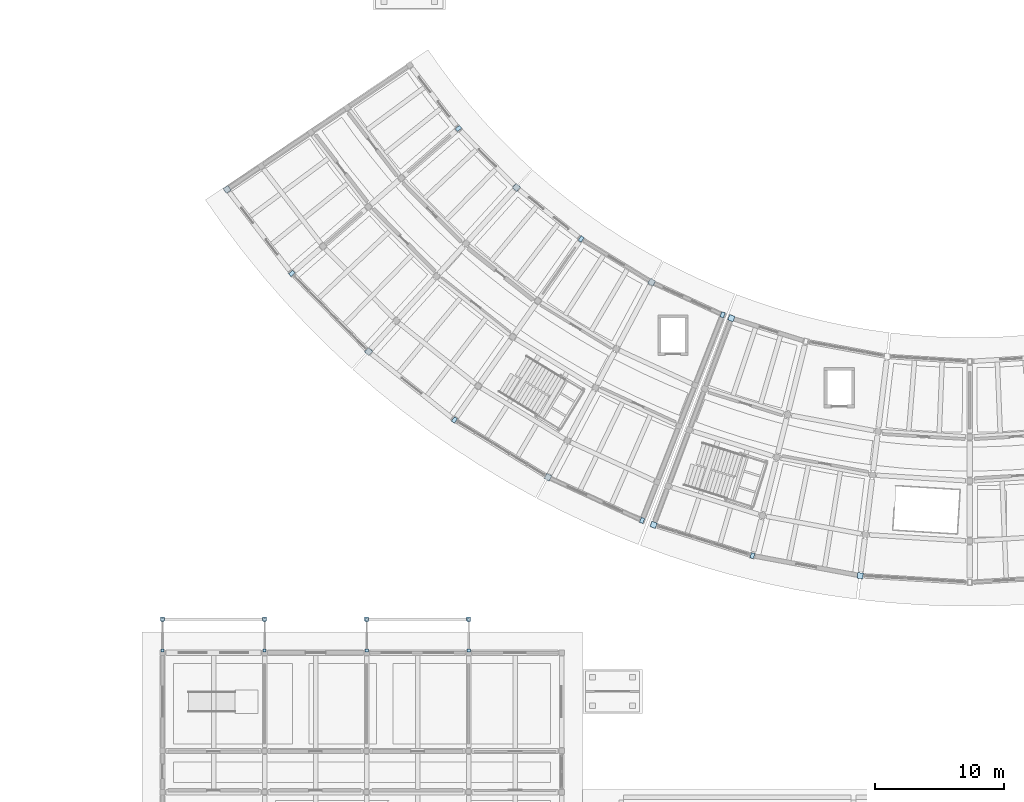
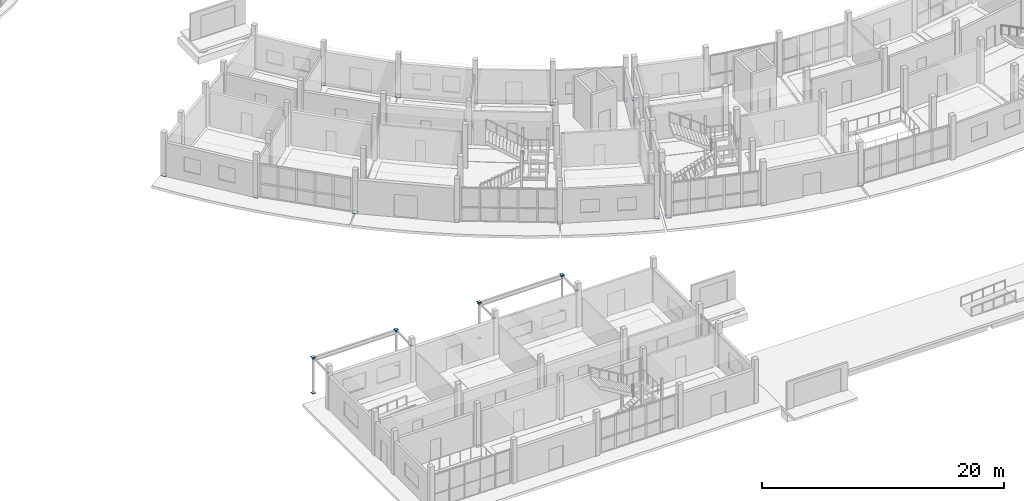
# One storey, part 59 of 92: 31 plates.
"""IFC4 building model written with IfcOpenShell, lengths in metres."""

from ifc_helpers import new_model, si_unit, direction, frame, origin, origin_2d, place, context, subcontext, project, spatial, rectangle, extrude, material, layer, layer_set, type_object, element, save


model = new_model("IFC4")

# Units and contexts
model_context = context("Model", 3, precision=1e-05, world=origin(), true_north=direction((0.0, 1.0)))
body_context = subcontext(model_context, "Body", "Model", "MODEL_VIEW")
ifc_project = project(units=[si_unit("LENGTHUNIT", "METRE"), si_unit("AREAUNIT", "SQUARE_METRE"), si_unit("VOLUMEUNIT", "CUBIC_METRE"), si_unit("PLANEANGLEUNIT", "RADIAN"), si_unit("MASSUNIT", "GRAM", prefix="KILO")], contexts=[model_context])

# Site, building, storey
site_placement = place(None, origin())
site = spatial("IfcSite", under=ifc_project, at=site_placement, CompositionType="ELEMENT")
building_placement = place(site_placement, origin())
building = spatial("IfcBuilding", under=site, at=building_placement, Name="Caldaven Crescent School", CompositionType="ELEMENT")
storey_placement = place(building_placement, origin())
storey = spatial("IfcBuildingStorey", under=building, at=storey_placement, Name="L00", CompositionType="ELEMENT", Elevation=0.0)

# Plates
ifc_material = material(Name="Steel ASTM A572 Grade 50", Category="steel")
ifc_layer_1 = layer(ifc_material, 0.01806640625)
ifc_layer_set_1 = layer_set([ifc_layer_1], Name="Steel ASTM A572 Grade 50")
plate_type_1 = type_object("IfcPlateType", Name="PLT-BAS2", PredefinedType="SHEET", material=ifc_layer_set_1)
for number, where, z_axis, x_axis, name in (
    (1, (30.500244140625, 56.8720703125, 0.0), (0.0, 0.0, 1.0), (-0.826786154745, -0.562516359159, 0.0), "PLT-SPL-V4W-00-4"),
    (2, (52.904052734375, 57.02197265625, 0.0), (0.0, 0.0, 1.0), (-0.669130606359, -0.743144825477, 0.0), "PLT-SPL-V4W-02-0"),
    (3, (41.4619140625, 44.314208984375, 0.0), (0.0, 0.0, 1.0), (-0.669130606359, -0.743144825477, 0.0), "PLT-SPL-V4W-02-4"),
    (4, (63.376220703125, 49.689453125, 0.0), (0.0, 0.0, 1.0), (-0.469471562786, -0.882947592859, 0.0), "PLT-SPL-V4W-04-0"),
    (5, (55.34814453125, 34.591064453125, 0.0), (0.0, 0.0, 1.0), (-0.469471562786, -0.882947592859, 0.0), "PLT-SPL-V4W-04-4"),
    (6, (69.541259765625, 46.905517578125, 0.0), (0.0, 0.0, 1.0), (-0.352005016254, -0.93599811353, 0.0), "PLT-SPL-V5-00-0"),
    (7, (63.523193359375, 30.8994140625, 0.0), (0.0, 0.0, 1.0), (-0.352005016254, -0.93599811353, 0.0), "PLT-SPL-V5-00-4"),
    (8, (79.52392578125, 26.968505859375, 0.0), (0.0, 0.0, 1.0), (-0.121869343405, -0.992546151641, 0.0), "PLT-SPL-V5-02-4"),
):
    element("IfcPlate", number, at=place(storey_placement, frame(where, z_axis=z_axis, x_axis=x_axis)), inside=storey, type_object=plate_type_1, Name=name, PredefinedType="SHEET", context=body_context, shape_type="SweptSolid", body=[
        extrude(rectangle(XDim=0.43994140625, YDim=0.43994140625, at=origin_2d()), origin(), (0.0, 0.0, 1.0), 0.01806640625),
    ])
ifc_layer_2 = layer(ifc_material, 0.02001953125)
ifc_layer_set_2 = layer_set([ifc_layer_2], Name="Steel ASTM A572 Grade 50")
plate_type_2 = type_object("IfcPlateType", Name="PLT-CAP20", PredefinedType="USERDEFINED", material=ifc_layer_set_2)
for number, where, z_axis, x_axis, name in (
    (9, (25.5, 21.176025390625, 3.489990234375), (0.0, 0.0, 1.0), (0.0, 1.0, 0.0), "PLT-CAP-0157-A"),
    (10, (25.5, 23.533935546875, 3.489990234375), (0.0, 0.0, 1.0), (0.0, 1.0, 0.0), "PLT-CAP-0158-B"),
    (11, (33.39990234375, 21.176025390625, 3.489990234375), (0.0, 0.0, 1.0), (0.0, 1.0, 0.0), "PLT-CAP-0159-A"),
    (12, (33.39990234375, 23.533935546875, 3.489990234375), (0.0, 0.0, 1.0), (0.0, 1.0, 0.0), "PLT-CAP-0160-B"),
    (13, (41.300048828125, 21.176025390625, 3.489990234375), (0.0, 0.0, 1.0), (0.0, 1.0, 0.0), "PLT-CAP-0165-A"),
    (14, (41.300048828125, 23.533935546875, 3.489990234375), (0.0, 0.0, 1.0), (0.0, 1.0, 0.0), "PLT-CAP-0166-B"),
    (15, (49.199951171875, 21.176025390625, 3.489990234375), (0.0, 0.0, 1.0), (0.0, 1.0, 0.0), "PLT-CAP-0167-A"),
    (16, (49.199951171875, 23.533935546875, 3.489990234375), (0.0, 0.0, 1.0), (0.0, 1.0, 0.0), "PLT-CAP-0168-B"),
):
    element("IfcPlate", number, at=place(storey_placement, frame(where, z_axis=z_axis, x_axis=x_axis)), inside=storey, type_object=plate_type_2, Name=name, ObjectType="CAP_PLATE", PredefinedType="USERDEFINED", context=body_context, shape_type="SweptSolid", body=[
        extrude(rectangle(XDim=0.260009765625, YDim=0.260009765625, at=origin_2d()), origin(), (0.0, 0.0, 1.0), 0.02001953125),
    ])
ifc_layer_3 = layer(ifc_material, 0.02001953125)
ifc_layer_set_3 = layer_set([ifc_layer_3], Name="Steel ASTM A572 Grade 50")
plate_type_3 = type_object("IfcPlateType", Name="PLT-CAP24", PredefinedType="USERDEFINED", material=ifc_layer_set_3)
for number, where, z_axis, x_axis, name in (
    (17, (25.5, 23.60009765625, -0.013916015625), (0.0, 0.0, 1.0), (1.0, 0.0, 0.0), "PLT-CAP-0153-A"),
    (18, (25.5, 23.60009765625, 3.593994140625), (0.0, 0.0, 1.0), (1.0, 0.0, 0.0), "PLT-CAP-0154-B"),
    (19, (33.39990234375, 23.60009765625, -0.013916015625), (0.0, 0.0, 1.0), (1.0, 0.0, 0.0), "PLT-CAP-0155-A"),
    (20, (33.39990234375, 23.60009765625, 3.593994140625), (0.0, 0.0, 1.0), (1.0, 0.0, 0.0), "PLT-CAP-0156-B"),
    (21, (41.300048828125, 23.60009765625, -0.013916015625), (0.0, 0.0, 1.0), (1.0, 0.0, 0.0), "PLT-CAP-0161-A"),
    (22, (41.300048828125, 23.60009765625, 3.593994140625), (0.0, 0.0, 1.0), (1.0, 0.0, 0.0), "PLT-CAP-0162-B"),
    (23, (49.199951171875, 23.60009765625, -0.013916015625), (0.0, 0.0, 1.0), (1.0, 0.0, 0.0), "PLT-CAP-0163-A"),
    (24, (49.199951171875, 23.60009765625, 3.593994140625), (0.0, 0.0, 1.0), (1.0, 0.0, 0.0), "PLT-CAP-0164-B"),
):
    element("IfcPlate", number, at=place(storey_placement, frame(where, z_axis=z_axis, x_axis=x_axis)), inside=storey, type_object=plate_type_3, Name=name, ObjectType="CAP_PLATE", PredefinedType="USERDEFINED", context=body_context, shape_type="SweptSolid", body=[
        extrude(rectangle(XDim=0.300048828125, YDim=0.300048828125, at=origin_2d()), origin(), (0.0, 0.0, 1.0), 0.02001953125),
    ])
ifc_layer_4 = layer(ifc_material, 0.01611328125)
ifc_layer_set_4 = layer_set([ifc_layer_4], Name="Steel ASTM A572 Grade 50")
plate_type_4 = type_object("IfcPlateType", Name="PLT-SPL2", PredefinedType="SHEET", material=ifc_layer_set_4)
for number, where, z_axis, x_axis, name in (
    (25, (48.41552734375, 61.589599609375, 0.0009765625), (0.0, 0.0, 1.0), (-0.754709580223, -0.656059028991, 0.0), "PLT-SPL-V4W-01-0"),
    (26, (35.510009765625, 50.37109375, 0.0009765625), (0.0, 0.0, 1.0), (-0.754709580223, -0.656059028991, 0.0), "PLT-SPL-V4W-01-4"),
    (27, (57.916015625, 53.035400390625, 0.0009765625), (0.0, 0.0, 1.0), (-0.573576436351, -0.819152044289, 0.0), "PLT-SPL-V4W-03-0"),
    (28, (48.107666015625, 39.028076171875, 0.0009765625), (0.0, 0.0, 1.0), (-0.573576436351, -0.819152044289, 0.0), "PLT-SPL-V4W-03-4"),
    (29, (68.866943359375, 47.164306640625, 0.0009765625), (0.0, 0.0, 1.0), (-0.364714278886, -0.931119484694, 0.0), "PLT-SPL-V4W-05-0"),
    (30, (62.629150390625, 31.24267578125, 0.0009765625), (0.0, 0.0, 1.0), (-0.364714278886, -0.931119484694, 0.0), "PLT-SPL-V4W-05-4"),
    (31, (71.17431640625, 28.515869140625, 0.0009765625), (0.0, 0.0, 1.0), (-0.2419218956, -0.970295726276, 0.0), "PLT-SPL-V5-01-4"),
):
    element("IfcPlate", number, at=place(storey_placement, frame(where, z_axis=z_axis, x_axis=x_axis)), inside=storey, type_object=plate_type_4, Name=name, PredefinedType="SHEET", context=body_context, shape_type="SweptSolid", body=[
        extrude(rectangle(XDim=0.419921875, YDim=0.280029296875, at=origin_2d()), origin(), (0.0, 0.0, 1.0), 0.01611328125),
    ])

save(model, "model.ifc")
